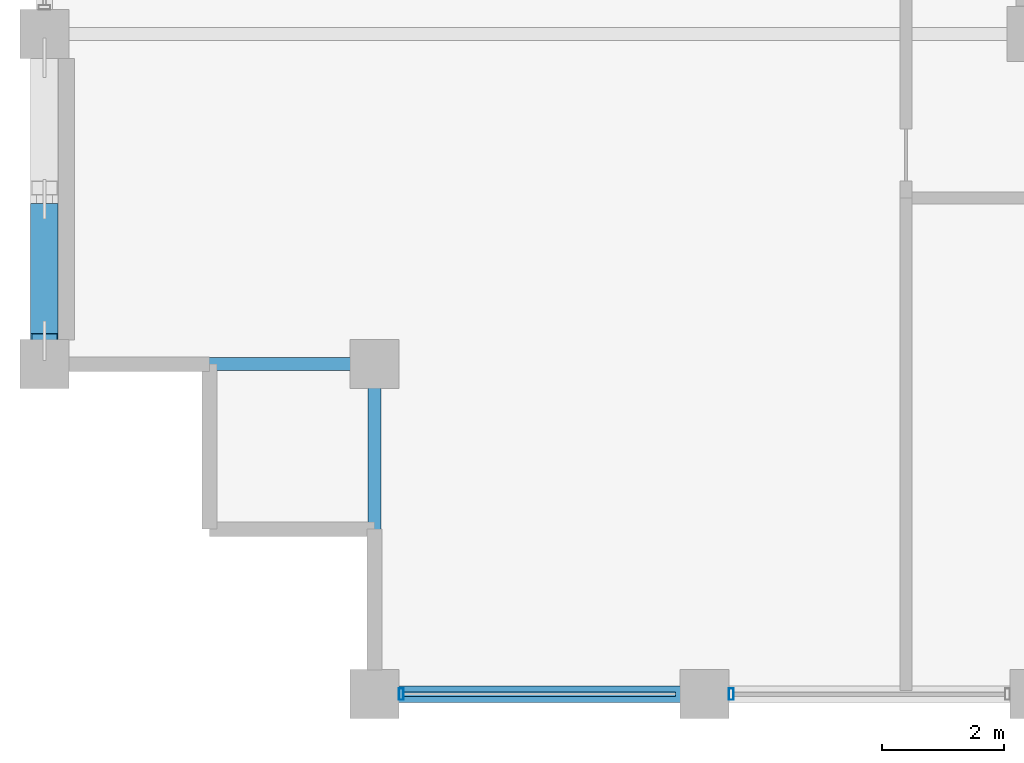
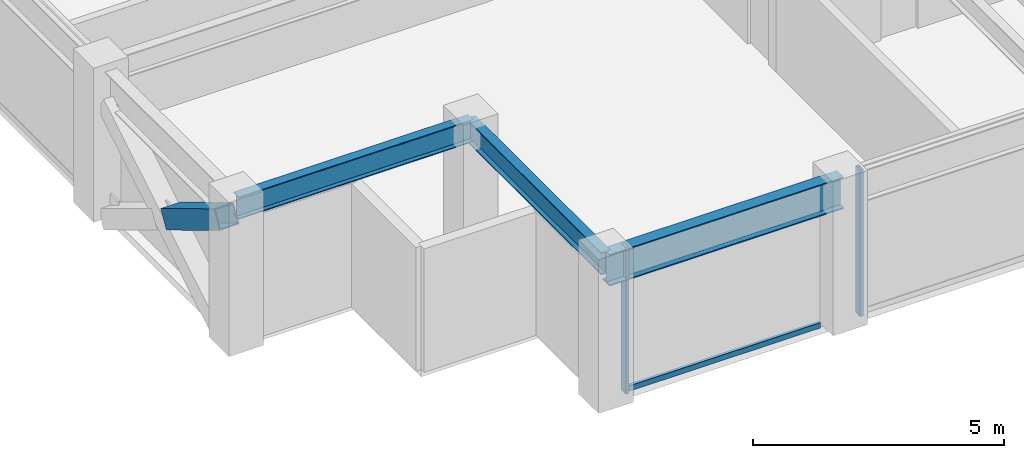
# One storey, part 2 of 32: 4 members, 3 beams, 1 element without a shape of its own.
"""IFC4 building model written with IfcOpenShell, lengths in metres."""

import ifcopenshell
import ifcopenshell.guid

model = None  # the IFC model being written
_history = None  # IfcOwnerHistory: only IFC2X3 demands one
_inside = {}  # id of a spatial element -> (the spatial element, [elements in it])
_under = {}  # id of a project, library or spatial element -> (it, [spatial elements below it])
_declared = {}  # id of a project -> (the project, [libraries it declares])
_typed = {}  # id of a type object -> (the type object, [elements of that type])
_made_of = {}  # id of a material, layer set ... -> (it, [elements and type objects made of it])


def new_model(schema):
    """Start an empty IFC model of exactly this schema.

    Asked for "IFC4X3", IfcOpenShell would pick the latest addendum, in which some entities
    have other attributes; the version numbers below select the first issue.
    IFC2X3 requires an IfcOwnerHistory on every rooted entity: one is made here for all.
    """
    global model, _history
    if schema == "IFC4X3":
        model = ifcopenshell.file(schema_version=(4, 3, 0, 0))
    else:
        model = ifcopenshell.file(schema=schema)
    _inside.clear()
    _under.clear()
    _declared.clear()
    _typed.clear()
    _made_of.clear()
    _history = None
    if model.schema == "IFC2X3":
        org = make("IfcOrganization", Name="unknown")
        user = make(
            "IfcPersonAndOrganization",
            ThePerson=make("IfcPerson", FamilyName="unknown"),
            TheOrganization=org,
        )
        app = make(
            "IfcApplication",
            ApplicationDeveloper=org,
            Version="unknown",
            ApplicationFullName="unknown",
            ApplicationIdentifier="unknown",
        )
        _history = make(
            "IfcOwnerHistory",
            OwningUser=user,
            OwningApplication=app,
            ChangeAction="ADDED",
            CreationDate=0,
        )
    return model


def make(cls, **values):
    """One entity of the class cls with the attributes given. An attribute that is None is left unset."""
    return model.create_entity(
        cls, **{name: value for name, value in values.items() if value is not None}
    )


def rooted(cls, **values):
    """An entity with a GlobalId (a new one), such as an element, a storey or a relation."""
    return make(cls, GlobalId=ifcopenshell.guid.new(), OwnerHistory=_history, **values)


def si_unit(unit_type, name, prefix=None):
    """IfcSIUnit, for example si_unit("LENGTHUNIT", "METRE", prefix="MILLI")."""
    return make("IfcSIUnit", UnitType=unit_type, Prefix=prefix, Name=name)


def assignment(units):
    """IfcUnitAssignment: the units of a project."""
    return None if units is None else make("IfcUnitAssignment", Units=units)


def point(xyz):
    """IfcCartesianPoint."""
    return None if xyz is None else make("IfcCartesianPoint", Coordinates=xyz)


def direction(xyz):
    """IfcDirection."""
    return None if xyz is None else make("IfcDirection", DirectionRatios=xyz)


def frame(location, z_axis=None, x_axis=None):
    """IfcAxis2Placement3D, a coordinate frame: its origin and axes. An axis left out is left unset."""
    return make(
        "IfcAxis2Placement3D",
        Location=point(location),
        Axis=direction(z_axis),
        RefDirection=direction(x_axis),
    )


def frame_2d(location, x_axis=None):
    """IfcAxis2Placement2D, a coordinate frame in the plane: its origin and x axis."""
    return make(
        "IfcAxis2Placement2D", Location=point(location), RefDirection=direction(x_axis)
    )


def origin():
    """The frame at (0, 0, 0) with its axes left unset."""
    return frame((0.0, 0.0, 0.0))


def origin_2d():
    """The frame at (0, 0) in the plane with its x axis left unset."""
    return frame_2d((0.0, 0.0))


def place(relative_to, where):
    """IfcLocalPlacement: puts the frame where relative to a parent placement (None: the world)."""
    return make(
        "IfcLocalPlacement", PlacementRelTo=relative_to, RelativePlacement=where
    )


def context(
    kind, dimensions, precision=None, world=None, true_north=None, identifier=None
):
    """IfcGeometricRepresentationContext, for example the 3D "Model" context."""
    return make(
        "IfcGeometricRepresentationContext",
        ContextIdentifier=identifier,
        ContextType=kind,
        CoordinateSpaceDimension=dimensions,
        Precision=precision,
        WorldCoordinateSystem=world,
        TrueNorth=true_north,
    )


def subcontext(parent, identifier, kind, view, scale=None):
    """IfcGeometricRepresentationSubContext, for example "Body" below "Model"."""
    return make(
        "IfcGeometricRepresentationSubContext",
        ContextIdentifier=identifier,
        ContextType=kind,
        ParentContext=parent,
        TargetScale=scale,
        TargetView=view,
    )


def project(units=None, contexts=None):
    """IfcProject with its units and contexts."""
    return rooted(
        "IfcProject",
        Name="project",
        RepresentationContexts=contexts,
        UnitsInContext=assignment(units),
    )


def spatial(cls, under=None, at=None, **own):
    """A site, building, storey or space (cls), placed at a placement, below another one or the project."""
    s = rooted(cls, ObjectPlacement=at, **own)
    if under is not None:
        _under.setdefault(under.id(), (under, []))[1].append(s)
    return s


def profile(cls, at=None, kind="AREA", **sizes):
    """A parametric profile (cls). Its sizes go by their IFC names, for example OverallWidth=200.0."""
    return make(cls, ProfileType=kind, Position=at, **sizes)


def hollow_rectangle(**sizes):
    """IfcRectangleHollowProfileDef."""
    return profile("IfcRectangleHollowProfileDef", **sizes)


def i_section(**sizes):
    """IfcIShapeProfileDef."""
    return profile("IfcIShapeProfileDef", **sizes)


def extrude(swept, where, along, depth):
    """IfcExtrudedAreaSolid: the profile swept, set in the frame where, extruded along a direction by depth."""
    return make(
        "IfcExtrudedAreaSolid",
        SweptArea=swept,
        Position=where,
        ExtrudedDirection=direction(along),
        Depth=depth,
    )


def shape(context_of_items, identifier, shape_type, items):
    """IfcShapeRepresentation: the items that make up one representation, for example the "Body"."""
    return make(
        "IfcShapeRepresentation",
        ContextOfItems=context_of_items,
        RepresentationIdentifier=identifier,
        RepresentationType=shape_type,
        Items=items,
    )


def material(Name=None, Category=None):
    """IfcMaterial."""
    return make("IfcMaterial", Name=Name, Category=Category)


def layer(
    of_material, thickness, ventilated=None, Name=None, Category=None, Priority=None
):
    """IfcMaterialLayer: one layer of a wall or slab, of a material (None: an air gap)."""
    return make(
        "IfcMaterialLayer",
        Material=of_material,
        LayerThickness=thickness,
        IsVentilated=ventilated,
        Name=Name,
        Category=Category,
        Priority=Priority,
    )


def layer_set(layers, Name=None):
    """IfcMaterialLayerSet."""
    return make("IfcMaterialLayerSet", MaterialLayers=layers, LayerSetName=Name)


def material_profile(
    of_material, cross_section, Name=None, Category=None, Priority=None
):
    """IfcMaterialProfile: a cross section and its material."""
    return make(
        "IfcMaterialProfile",
        Name=Name,
        Material=of_material,
        Profile=cross_section,
        Priority=Priority,
        Category=Category,
    )


def profile_set(profiles, Name=None, composite=None):
    """IfcMaterialProfileSet."""
    return make(
        "IfcMaterialProfileSet",
        Name=Name,
        MaterialProfiles=profiles,
        CompositeProfile=composite,
    )


def made_of(thing, what):
    """Note that an element or type object is made of a material, layer set ...; save() writes the relation."""
    if what is not None:
        _made_of.setdefault(what.id(), (what, []))[1].append(thing)
    return thing


def type_object(cls, material=None, **own):
    """A type object (cls), such as IfcWallType, which elements share."""
    return made_of(rooted(cls, **own), material)


def element(
    cls,
    number,
    at=None,
    inside=None,
    cuts=None,
    type_object=None,
    material=None,
    context=None,
    identifier="Body",
    shape_type=None,
    held_by="IfcProductDefinitionShape",
    body=None,
    shapes=None,
    **own,
):
    """One element of the class cls, such as IfcWall. Its Tag is "e" and its number.

    at: its placement. inside: the storey or other place that contains it. cuts: it is an
    opening in that element (IfcRelVoidsElement). A single representation is given by context,
    identifier, shape_type and body (its items); several are given by shapes. held_by: the class
    of the entity that holds the representations. save() writes the other relations.
    """
    e = rooted(cls, Tag="e%d" % number, ObjectPlacement=at, **own)
    if body is not None:
        shapes = [shape(context, identifier, shape_type, body)]
    if shapes is not None:
        e.Representation = make(held_by, Representations=shapes)
    if inside is not None:
        _inside.setdefault(inside.id(), (inside, []))[1].append(e)
    if cuts is not None:
        rooted(
            "IfcRelVoidsElement", RelatingBuildingElement=cuts, RelatedOpeningElement=e
        )
    if type_object is not None:
        _typed.setdefault(type_object.id(), (type_object, []))[1].append(e)
    return made_of(e, material)


def aggregate(whole, parts):
    """IfcRelAggregates: a whole, such as a stair, and the parts it consists of."""
    return rooted("IfcRelAggregates", RelatingObject=whole, RelatedObjects=parts)


def save(model, path):
    """Write the relations noted so far, then the file.

    IfcRelAggregates (storeys below a building ...), IfcRelContainedInSpatialStructure (elements
    in a storey), IfcRelDefinesByType, IfcRelAssociatesMaterial and IfcRelDeclares: one each for
    every whole, place, type object, material and project.
    """
    for whole, parts in _under.values():
        aggregate(whole, parts)
    for where, things in _inside.values():
        rooted(
            "IfcRelContainedInSpatialStructure",
            RelatedElements=things,
            RelatingStructure=where,
        )
    for kind, things in _typed.values():
        rooted("IfcRelDefinesByType", RelatedObjects=things, RelatingType=kind)
    for what, things in _made_of.values():
        rooted("IfcRelAssociatesMaterial", RelatedObjects=things, RelatingMaterial=what)
    for by, libraries in _declared.values():
        rooted("IfcRelDeclares", RelatingContext=by, RelatedDefinitions=libraries)
    model.write(path)


model = new_model("IFC4")

# Units and contexts
model_context = context("Model", 3, precision=1e-05, world=origin(), true_north=direction((0.0, 1.0)))
body_context = subcontext(model_context, "Body", "Model", "MODEL_VIEW")
ifc_project = project(units=[si_unit("LENGTHUNIT", "METRE"), si_unit("AREAUNIT", "SQUARE_METRE"), si_unit("VOLUMEUNIT", "CUBIC_METRE"), si_unit("PLANEANGLEUNIT", "RADIAN"), si_unit("MASSUNIT", "GRAM", prefix="KILO")], contexts=[model_context])

# Site, building, storey
site_placement = place(None, origin())
site = spatial("IfcSite", under=ifc_project, at=site_placement, CompositionType="ELEMENT")
building_placement = place(site_placement, origin())
building = spatial("IfcBuilding", under=site, at=building_placement, Name="Surkhivell Harbour Commons", CompositionType="ELEMENT")
storey_placement = place(building_placement, frame((0.0, 0.0, 216.0)))
storey = spatial("IfcBuildingStorey", under=building, at=storey_placement, Name="L56", CompositionType="ELEMENT", Elevation=216.0)

# Beams
ifc_material_1 = material(Name="Steel S355", Category="steel")
ifc_material_profile_1 = material_profile(ifc_material_1, i_section(OverallWidth=0.2119140625, OverallDepth=0.5439453125, WebThickness=0.0126953125, FlangeThickness=0.021240234375, at=origin_2d()), Name="UB533x210x122")
ifc_profile_set_1 = profile_set([ifc_material_profile_1], Name="Steel S355")
beam_type_1 = type_object("IfcBeamType", Name="BM-GRD-533A", PredefinedType="BEAM", material=ifc_profile_set_1)
beam_1_placement = place(storey_placement, frame((-27.0, -16.199951171875, 3.298095703125), z_axis=(1.0, 0.0, 0.0), x_axis=(0.0, 1.0, 0.0)))
element("IfcBeam", 1, at=beam_1_placement, inside=storey, type_object=beam_type_1, Name="L56 Floor Girder (-27.0,-16.2)", PredefinedType="BEAM", context=body_context, shape_type="SweptSolid", body=[
    extrude(i_section(OverallWidth=0.2119140625, OverallDepth=0.5439453125, WebThickness=0.0126953125, FlangeThickness=0.021240234375, at=origin_2d()), origin(), (0.0, 0.0, 1.0), 5.39990234375),
])
beam_2_placement = place(storey_placement, frame((-21.60009765625, -21.60009765625, 3.298095703125), z_axis=(0.0, 1.0, 0.0), x_axis=(-1.0, 0.0, 0.0)))
element("IfcBeam", 2, at=beam_2_placement, inside=storey, type_object=beam_type_1, Name="L56 Floor Girder (-21.6,-21.6)", PredefinedType="BEAM", context=body_context, shape_type="SweptSolid", body=[
    extrude(i_section(OverallWidth=0.2119140625, OverallDepth=0.5439453125, WebThickness=0.0126953125, FlangeThickness=0.021240234375, at=origin_2d()), origin(), (0.0, 0.0, 1.0), 5.400146484375),
])
ifc_material_profile_2 = material_profile(ifc_material_1, i_section(OverallWidth=0.26806640625, OverallDepth=0.77001953125, WebThickness=0.015625, FlangeThickness=0.025390625, at=origin_2d()), Name="UB762x267x197")
ifc_profile_set_2 = profile_set([ifc_material_profile_2], Name="Steel S355")
beam_type_2 = type_object("IfcBeamType", Name="BM-SPN-762", PredefinedType="SPANDREL", material=ifc_profile_set_2)
beam_3_placement = place(storey_placement, frame((-21.60009765625, -21.60009765625, 3.18505859375), z_axis=(1.0, 0.0, 0.0), x_axis=(0.0, 1.0, 0.0)))
element("IfcBeam", 3, at=beam_3_placement, inside=storey, type_object=beam_type_2, Name="L56 Tube Spandrel (-21.6,-21.6)", PredefinedType="SPANDREL", context=body_context, shape_type="SweptSolid", body=[
    extrude(i_section(OverallWidth=0.26806640625, OverallDepth=0.77001953125, WebThickness=0.015625, FlangeThickness=0.025390625, at=origin_2d()), origin(), (0.0, 0.0, 1.0), 5.400146484375),
])

# Curtain wall, members
ifc_material_2 = material(Name="Anodised pale-metal aluminium and insulated glazing", Category="aluminium")
ifc_layer = layer(ifc_material_2, 0.18994140625)
ifc_layer_set = layer_set([ifc_layer], Name="Anodised pale-metal aluminium and insulated glazing")
curtain_wall_type = type_object("IfcCurtainWallType", Name="CW-SYS-Z3", PredefinedType="NOTDEFINED", material=ifc_layer_set)
curtain_wall_placement = place(storey_placement, origin())
curtain_wall = element("IfcCurtainWall", 4, at=curtain_wall_placement, inside=storey, type_object=curtain_wall_type, Name="L56 Curtain Wall CW-L56-E00S1", PredefinedType="NOTDEFINED")
ifc_material_3 = material(Name="Anodised pale-metal aluminium alloy 6063-T6", Category="aluminium")
ifc_material_profile_3 = material_profile(ifc_material_3, hollow_rectangle(XDim=0.074951171875, YDim=0.18994140625, WallThickness=0.00390625, at=origin_2d()), Name="ALU-MULL-75x190")
ifc_profile_set_3 = profile_set([ifc_material_profile_3], Name="Anodised pale-metal aluminium alloy 6063-T6")
member_type_1 = type_object("IfcMemberType", Name="CWM-190", PredefinedType="MULLION", material=ifc_profile_set_3)
member_1_placement = place(storey_placement, frame((-21.160400390625, -21.60009765625, 0.0), z_axis=(0.0, 0.0, 1.0), x_axis=(1.0, 0.0, 0.0)))
member_1 = element("IfcMember", 5, at=member_1_placement, type_object=member_type_1, Name="CW-Z3 mullion 1", PredefinedType="MULLION", context=body_context, shape_type="SweptSolid", body=[
    extrude(hollow_rectangle(XDim=0.074951171875, YDim=0.18994140625, WallThickness=0.00390625, at=origin_2d()), origin(), (0.0, 0.0, 1.0), 3.570068359375),
])
member_2_placement = place(storey_placement, frame((-15.760498046875, -21.60009765625, 0.0), z_axis=(0.0, 0.0, 1.0), x_axis=(1.0, 0.0, 0.0)))
member_2 = element("IfcMember", 6, at=member_2_placement, type_object=member_type_1, Name="CW-Z3 mullion 2", PredefinedType="MULLION", context=body_context, shape_type="SweptSolid", body=[
    extrude(hollow_rectangle(XDim=0.074951171875, YDim=0.18994140625, WallThickness=0.00390625, at=origin_2d()), origin(), (0.0, 0.0, 1.0), 3.570068359375),
])
ifc_material_4 = material(Name="Champagne anodised aluminium alloy 6063-T6", Category="aluminium")
ifc_material_profile_4 = material_profile(ifc_material_4, hollow_rectangle(XDim=0.070068359375, YDim=0.1298828125, WallThickness=0.00341796875, at=origin_2d()), Name="ALU-TRAN-70x130")
ifc_profile_set_4 = profile_set([ifc_material_profile_4], Name="Champagne anodised aluminium alloy 6063-T6")
member_type_2 = type_object("IfcMemberType", Name="CWT-130", PredefinedType="USERDEFINED", material=ifc_profile_set_4)
member_3_placement = place(storey_placement, frame((-21.123046875, -21.60009765625, 0.06494140625), z_axis=(1.0, 0.0, 0.0), x_axis=(0.0, 1.0, 0.0)))
member_3 = element("IfcMember", 7, at=member_3_placement, type_object=member_type_2, Name="CW-Z3 transom 1.1", ObjectType="TRANSOM", PredefinedType="USERDEFINED", context=body_context, shape_type="SweptSolid", body=[
    extrude(hollow_rectangle(XDim=0.070068359375, YDim=0.1298828125, WallThickness=0.00341796875, at=origin_2d()), origin(), (0.0, 0.0, 1.0), 4.446044921875),
])
aggregate(curtain_wall, [member_1, member_3, member_2])

# Member
ifc_material_5 = material(Name="Steel S460", Category="steel")
ifc_material_profile_5 = material_profile(ifc_material_5, hollow_rectangle(XDim=0.449951171875, YDim=0.449951171875, WallThickness=0.02197265625, at=origin_2d()), Name="SHS450x450x22")
ifc_profile_set_5 = profile_set([ifc_material_profile_5], Name="Steel S460")
member_type_3 = type_object("IfcMemberType", Name="MEM-BRC-SHS450", PredefinedType="BRACE", material=ifc_profile_set_5)
member_4_placement = place(storey_placement, frame((-27.0, -13.684814453125, 1.517578125), z_axis=(0.0, -0.856017753989, 0.516946423584), x_axis=(1.0, 0.0, 0.0)))
element("IfcMember", 8, at=member_4_placement, inside=storey, type_object=member_type_3, Name="L56 Perimeter Mega-Brace MB- 12", PredefinedType="BRACE", context=body_context, shape_type="SweptSolid", body=[
    extrude(hollow_rectangle(XDim=0.449951171875, YDim=0.449951171875, WallThickness=0.02197265625, at=origin_2d()), origin(), (0.0, 0.0, 1.0), 2.488525390625),
])

save(model, "model.ifc")
